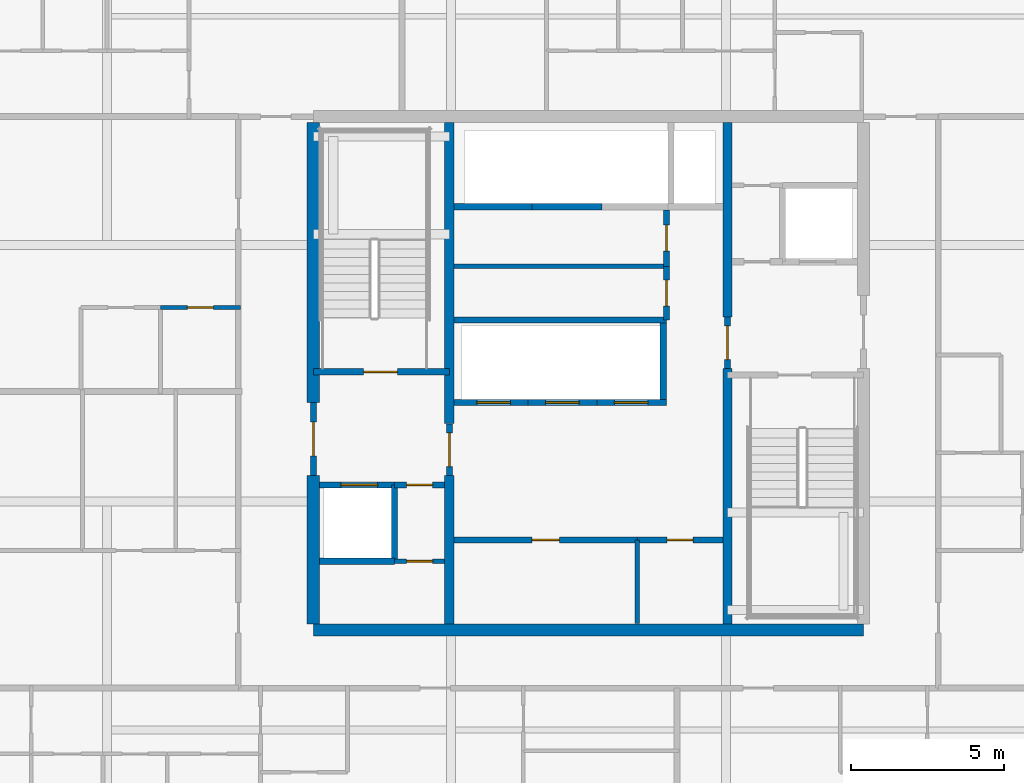
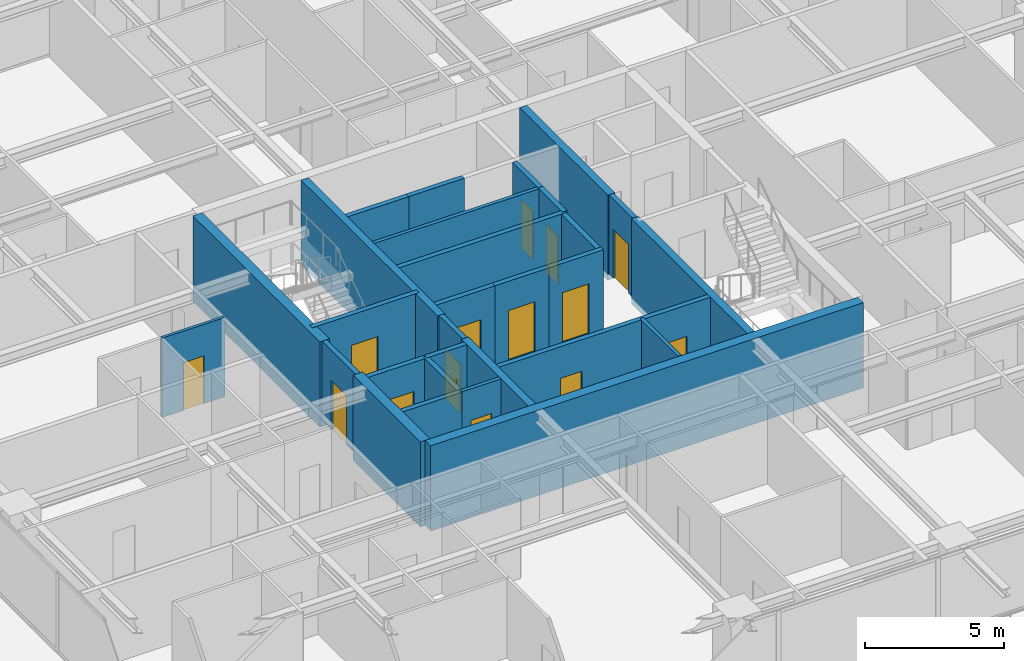
# One storey, part 27 of 37: 30 walls, 15 doors, 15 openings.
"""IFC4 building model written with IfcOpenShell, lengths in metres."""

from ifc_helpers import new_model, si_unit, direction, frame, frame_2d, origin, place, context, subcontext, project, spatial, rectangle, extrude, source, transform, mapped, material, layer, layer_set, type_object, element, fill, save


model = new_model("IFC4")

# Units and contexts
model_context = context("Model", 3, precision=1e-05, world=origin(), true_north=direction((0.0, 1.0)))
body_context = subcontext(model_context, "Body", "Model", "MODEL_VIEW")
ifc_project = project(units=[si_unit("LENGTHUNIT", "METRE"), si_unit("AREAUNIT", "SQUARE_METRE"), si_unit("VOLUMEUNIT", "CUBIC_METRE"), si_unit("PLANEANGLEUNIT", "RADIAN"), si_unit("MASSUNIT", "GRAM", prefix="KILO")], contexts=[model_context])

# Site, building, storey
site_placement = place(None, origin())
site = spatial("IfcSite", under=ifc_project, at=site_placement, CompositionType="ELEMENT")
building_placement = place(site_placement, origin())
building = spatial("IfcBuilding", under=site, at=building_placement, Name="Serunith Strait Residences", CompositionType="ELEMENT")
storey_placement = place(building_placement, frame((0.0, 0.0, 153.89990234375)))
storey = spatial("IfcBuildingStorey", under=building, at=storey_placement, Name="L38", CompositionType="ELEMENT", Elevation=153.89990234375)

# Wall, opening, door
ifc_material_1 = material(Name="Fire-rated masonry service closet wall", Category="masonry")
ifc_layer_1 = layer(ifc_material_1, 0.14990234375, Name="Fire-rated masonry service closet wall")
ifc_layer_set_1 = layer_set([ifc_layer_1], Name="Fire-rated masonry service closet wall")
wall_type_1 = type_object("IfcWallType", Name="IW-BOH-150", PredefinedType="PARTITIONING", material=ifc_layer_set_1)
wall_1_placement = place(storey_placement, frame((26.052001953125, 19.050048828125, 0.0), z_axis=(0.0, 0.0, 1.0), x_axis=(1.0, 0.0, 0.0)))
wall_1 = element("IfcWall", 1, at=wall_1_placement, inside=storey, type_object=wall_type_1, Name="L38 Partition Wall 012", PredefinedType="PARTITIONING", context=body_context, shape_type="SweptSolid", body=[
    extrude(rectangle(XDim=1.64794921875, YDim=0.14990234375, at=frame_2d((0.823974609375, 0.0))), origin(), (0.0, 0.0, 1.0), 3.489990234375),
])
opening_1_placement = place(wall_1_placement, frame((0.39892578125, 0.0, 0.0)))
opening_1 = element("IfcOpeningElement", 2, at=opening_1_placement, cuts=wall_1, Name="Opening FD-850", PredefinedType="OPENING", context=body_context, shape_type="SweptSolid", body=[
    extrude(rectangle(XDim=0.85009765625, YDim=2.10009765625, at=frame_2d((0.425048828125, 1.050048828125))), frame((0.0, 0.0849609375, 0.0), z_axis=(0.0, -1.0, 0.0), x_axis=(1.0, 0.0, 0.0)), (0.0, 0.0, 1.0), 0.169921875),
])
ifc_material_2 = material(Name="Powder-coated steel service closet door", Category="steel")
door_type_1 = type_object("IfcDoorType", Name="FD-BOH-850", OperationType="NOTDEFINED", PredefinedType="DOOR", material=ifc_material_2)
shared_shape_1 = source(origin(), body_context, "Body", "SweptSolid", [
    extrude(rectangle(XDim=0.85009765625, YDim=2.10009765625, at=frame_2d((0.425048828125, 1.050048828125))), frame((0.0, 0.02490234375, 0.0), z_axis=(0.0, -1.0, 0.0), x_axis=(1.0, 0.0, 0.0)), (0.0, 0.0, 1.0), 0.050048828125),
])
door_1_placement = place(opening_1_placement, origin())
door_1 = element("IfcDoor", 3, at=door_1_placement, inside=storey, type_object=door_type_1, Name="L38 Water Meter Door", OperationType="SINGLE_SWING_RIGHT", OverallHeight=2.10009765625, OverallWidth=0.85009765625, PredefinedType="DOOR", context=body_context, shape_type="MappedRepresentation", body=[
    mapped(shared_shape_1, transform((0.0, 0.0, 0.0), scale=1.0)),
])
fill(opening_1, door_1)

# Walls
wall_2_placement = place(storey_placement, frame((28.0, 28.699951171875, 0.0), z_axis=(0.0, 0.0, 1.0), x_axis=(1.0, 0.0, 0.0)))
element("IfcWall", 4, at=wall_2_placement, inside=storey, type_object=wall_type_1, Name="L38 Partition Wall 016", PredefinedType="PARTITIONING", context=body_context, shape_type="SweptSolid", body=[
    extrude(rectangle(XDim=6.949951171875, YDim=0.14990234375, at=frame_2d((3.47509765625, 0.0))), origin(), (0.0, 0.0, 1.0), 3.489990234375),
])
wall_3_placement = place(storey_placement, frame((34.0, 17.02001953125, 0.0), z_axis=(0.0, 0.0, 1.0), x_axis=(0.0, 1.0, 0.0)))
element("IfcWall", 5, at=wall_3_placement, inside=storey, type_object=wall_type_1, Name="L38 Partition Wall 019", PredefinedType="PARTITIONING", context=body_context, shape_type="SweptSolid", body=[
    extrude(rectangle(XDim=2.72998046875, YDim=0.14990234375, at=frame_2d((1.364990234375, 0.0))), origin(), (0.0, 0.0, 1.0), 3.489990234375),
])

# Wall, opening, door
ifc_material_3 = material(Name="Lightweight steel-stud gypsum partition", Category="steel")
ifc_layer_2 = layer(ifc_material_3, 0.1201171875, Name="Lightweight steel-stud gypsum partition")
ifc_layer_set_2 = layer_set([ifc_layer_2], Name="Lightweight steel-stud gypsum partition")
wall_type_2 = type_object("IfcWallType", Name="IW-PART-120", PredefinedType="PARTITIONING", material=ifc_layer_set_2)
wall_4_placement = place(storey_placement, frame((18.402099609375, 27.35009765625, 0.0), z_axis=(0.0, 0.0, 1.0), x_axis=(1.0, 0.0, 0.0)))
wall_4 = element("IfcWall", 6, at=wall_4_placement, inside=storey, type_object=wall_type_2, Name="L38 Partition Wall 110", PredefinedType="PARTITIONING", context=body_context, shape_type="SweptSolid", body=[
    extrude(rectangle(XDim=2.60791015625, YDim=0.1201171875, at=frame_2d((1.303955078125, 0.0))), origin(), (0.0, 0.0, 1.0), 3.489990234375),
])
opening_2_placement = place(wall_4_placement, frame((0.87890625, 0.0, 0.0)))
opening_2 = element("IfcOpeningElement", 7, at=opening_2_placement, cuts=wall_4, Name="Opening D-BTH850", PredefinedType="OPENING", context=body_context, shape_type="SweptSolid", body=[
    extrude(rectangle(XDim=0.85009765625, YDim=2.10009765625, at=frame_2d((0.425048828125, 1.050048828125))), frame((0.0, 0.070068359375, 0.0), z_axis=(0.0, -1.0, 0.0), x_axis=(1.0, 0.0, 0.0)), (0.0, 0.0, 1.0), 0.14013671875),
])
ifc_material_4 = material(Name="Moisture-resistant timber bathroom door", Category="wood")
door_type_2 = type_object("IfcDoorType", Name="ID-BATH-850", OperationType="NOTDEFINED", PredefinedType="DOOR", material=ifc_material_4)
door_2_placement = place(opening_2_placement, origin())
door_2 = element("IfcDoor", 8, at=door_2_placement, inside=storey, type_object=door_type_2, Name="L38 Bathroom 3806 Door", OperationType="SINGLE_SWING_RIGHT", OverallHeight=2.10009765625, OverallWidth=0.85009765625, PredefinedType="DOOR", context=body_context, shape_type="MappedRepresentation", body=[
    mapped(shared_shape_1, transform((0.0, 0.0, 0.0), scale=1.0)),
])
fill(opening_2, door_2)

ifc_material_5 = material(Name="Autoclaved aerated concrete blockwork", Category="masonry")
ifc_layer_3 = layer(ifc_material_5, 0.199951171875, Name="Autoclaved aerated concrete blockwork")
ifc_layer_set_3 = layer_set([ifc_layer_3], Name="Autoclaved aerated concrete blockwork")
wall_type_3 = type_object("IfcWallType", Name="IW-SHAFT-200", PredefinedType="STANDARD", material=ifc_layer_set_3)
wall_5_placement = place(storey_placement, frame((23.39990234375, 25.25, 0.0), z_axis=(0.0, 0.0, 1.0), x_axis=(1.0, 0.0, 0.0)))
wall_5 = element("IfcWall", 9, at=wall_5_placement, inside=storey, type_object=wall_type_3, Name="L38 ST-1 South Shaft Wall", PredefinedType="STANDARD", context=body_context, shape_type="SweptSolid", body=[
    extrude(rectangle(XDim=4.4501953125, YDim=0.199951171875, at=frame_2d((2.22509765625, 0.0))), origin(), (0.0, 0.0, 1.0), 3.489990234375),
])
opening_3_placement = place(wall_5_placement, frame((1.64990234375, 0.0, 0.0)))
opening_3 = element("IfcOpeningElement", 10, at=opening_3_placement, cuts=wall_5, Name="Opening FD-1100", PredefinedType="OPENING", context=body_context, shape_type="SweptSolid", body=[
    extrude(rectangle(XDim=1.10009765625, YDim=2.14990234375, at=frame_2d((0.550048828125, 1.074951171875))), frame((0.0, 0.10986328125, 0.0), z_axis=(0.0, -1.0, 0.0), x_axis=(1.0, 0.0, 0.0)), (0.0, 0.0, 1.0), 0.219970703125),
])
ifc_material_6 = material(Name="Galvanised steel fire door leaf", Category="steel")
door_type_3 = type_object("IfcDoorType", Name="FD-STAIR-1100", OperationType="NOTDEFINED", PredefinedType="DOOR", material=ifc_material_6)
shared_shape_2 = source(origin(), body_context, "Body", "SweptSolid", [
    extrude(rectangle(XDim=1.10009765625, YDim=2.14990234375, at=frame_2d((0.550048828125, 1.074951171875))), frame((0.0, 0.02490234375, 0.0), z_axis=(0.0, -1.0, 0.0), x_axis=(1.0, 0.0, 0.0)), (0.0, 0.0, 1.0), 0.050048828125),
])
door_3_placement = place(opening_3_placement, origin())
door_3 = element("IfcDoor", 11, at=door_3_placement, inside=storey, type_object=door_type_3, Name="L38 ST-1 Escape Stair Door", OperationType="SINGLE_SWING_RIGHT", OverallHeight=2.14990234375, OverallWidth=1.10009765625, PredefinedType="DOOR", context=body_context, shape_type="MappedRepresentation", body=[
    mapped(shared_shape_2, transform((0.0, 0.0, 0.0), scale=1.0)),
])
fill(opening_3, door_3)

wall_6_placement = place(storey_placement, frame((23.60009765625, 21.550048828125, 0.0), z_axis=(0.0, 0.0, 1.0), x_axis=(1.0, 0.0, 0.0)))
wall_6 = element("IfcWall", 12, at=wall_6_placement, inside=storey, type_object=wall_type_3, Name="L38 FL-1 North Shaft Wall", PredefinedType="STANDARD", context=body_context, shape_type="SweptSolid", body=[
    extrude(rectangle(XDim=2.449951171875, YDim=0.199951171875, at=frame_2d((1.22509765625, 0.0))), origin(), (0.0, 0.0, 1.0), 3.489990234375),
])
opening_4_placement = place(wall_6_placement, frame((0.699951171875, 0.0, 0.0)))
opening_4 = element("IfcOpeningElement", 13, at=opening_4_placement, cuts=wall_6, Name="Opening LD-FF1200", PredefinedType="OPENING", context=body_context, shape_type="SweptSolid", body=[
    extrude(rectangle(XDim=1.199951171875, YDim=2.199951171875, at=frame_2d((0.60009765625, 1.10009765625))), frame((0.0, 0.10986328125, 0.0), z_axis=(0.0, -1.0, 0.0), x_axis=(1.0, 0.0, 0.0)), (0.0, 0.0, 1.0), 0.219970703125),
])
ifc_material_7 = material(Name="Brushed stainless steel landing door", Category="steel")
door_type_4 = type_object("IfcDoorType", Name="LD-FF-1200", OperationType="DOUBLE_DOOR_SLIDING", PredefinedType="DOOR", material=ifc_material_7)
shared_shape_3 = source(origin(), body_context, "Body", "SweptSolid", [
    extrude(rectangle(XDim=1.199951171875, YDim=2.199951171875, at=frame_2d((0.60009765625, 1.10009765625))), frame((0.0, 0.02490234375, 0.0), z_axis=(0.0, -1.0, 0.0), x_axis=(1.0, 0.0, 0.0)), (0.0, 0.0, 1.0), 0.050048828125),
])
door_4_placement = place(opening_4_placement, origin())
door_4 = element("IfcDoor", 14, at=door_4_placement, inside=storey, type_object=door_type_4, Name="L38 FL-1 Landing Door", OperationType="DOUBLE_DOOR_SLIDING", OverallHeight=2.199951171875, OverallWidth=1.199951171875, PredefinedType="DOOR", context=body_context, shape_type="MappedRepresentation", body=[
    mapped(shared_shape_3, transform((0.0, 0.0, 0.0), scale=1.0)),
])
fill(opening_4, door_4)

wall_7_placement = place(storey_placement, frame((28.0, 24.25, 0.0), z_axis=(0.0, 0.0, 1.0), x_axis=(1.0, 0.0, 0.0)))
wall_7 = element("IfcWall", 15, at=wall_7_placement, inside=storey, type_object=wall_type_3, Name="L38 PL-4 South Shaft Wall", PredefinedType="STANDARD", context=body_context, shape_type="SweptSolid", body=[
    extrude(rectangle(XDim=2.425048828125, YDim=0.199951171875, at=frame_2d((1.21240234375, 0.0))), origin(), (0.0, 0.0, 1.0), 3.489990234375),
])
opening_5_placement = place(wall_7_placement, frame((0.75, 0.0, 0.0)))
opening_5 = element("IfcOpeningElement", 16, at=opening_5_placement, cuts=wall_7, Name="Opening LD-1100", PredefinedType="OPENING", context=body_context, shape_type="SweptSolid", body=[
    extrude(rectangle(XDim=1.10009765625, YDim=2.199951171875, at=frame_2d((0.550048828125, 1.10009765625))), frame((0.0, 0.10986328125, 0.0), z_axis=(0.0, -1.0, 0.0), x_axis=(1.0, 0.0, 0.0)), (0.0, 0.0, 1.0), 0.219970703125),
])
ifc_material_8 = material(Name="Pale-champagne stainless landing door")
door_type_5 = type_object("IfcDoorType", Name="LD-LIFT-1100", OperationType="DOUBLE_DOOR_SLIDING", PredefinedType="DOOR", material=ifc_material_8)
shared_shape_4 = source(origin(), body_context, "Body", "SweptSolid", [
    extrude(rectangle(XDim=1.10009765625, YDim=2.199951171875, at=frame_2d((0.550048828125, 1.10009765625))), frame((0.0, 0.02490234375, 0.0), z_axis=(0.0, -1.0, 0.0), x_axis=(1.0, 0.0, 0.0)), (0.0, 0.0, 1.0), 0.050048828125),
])
door_5_placement = place(opening_5_placement, origin())
door_5 = element("IfcDoor", 17, at=door_5_placement, inside=storey, type_object=door_type_5, Name="L38 PL-4 Landing Door", OperationType="DOUBLE_DOOR_SLIDING", OverallHeight=2.199951171875, OverallWidth=1.10009765625, PredefinedType="DOOR", context=body_context, shape_type="MappedRepresentation", body=[
    mapped(shared_shape_4, transform((0.0, 0.0, 0.0), scale=1.0)),
])
fill(opening_5, door_5)

wall_8_placement = place(storey_placement, frame((30.425048828125, 24.25, 0.0), z_axis=(0.0, 0.0, 1.0), x_axis=(1.0, 0.0, 0.0)))
wall_8 = element("IfcWall", 18, at=wall_8_placement, inside=storey, type_object=wall_type_3, Name="L38 PL-5 South Shaft Wall", PredefinedType="STANDARD", context=body_context, shape_type="SweptSolid", body=[
    extrude(rectangle(XDim=2.25, YDim=0.199951171875, at=frame_2d((1.125, 0.0))), origin(), (0.0, 0.0, 1.0), 3.489990234375),
])
opening_6_placement = place(wall_8_placement, frame((0.574951171875, 0.0, 0.0)))
opening_6 = element("IfcOpeningElement", 19, at=opening_6_placement, cuts=wall_8, Name="Opening LD-1100", PredefinedType="OPENING", context=body_context, shape_type="SweptSolid", body=[
    extrude(rectangle(XDim=1.10009765625, YDim=2.199951171875, at=frame_2d((0.550048828125, 1.10009765625))), frame((0.0, 0.10986328125, 0.0), z_axis=(0.0, -1.0, 0.0), x_axis=(1.0, 0.0, 0.0)), (0.0, 0.0, 1.0), 0.219970703125),
])
door_6_placement = place(opening_6_placement, origin())
door_6 = element("IfcDoor", 20, at=door_6_placement, inside=storey, type_object=door_type_5, Name="L38 PL-5 Landing Door", OperationType="DOUBLE_DOOR_SLIDING", OverallHeight=2.199951171875, OverallWidth=1.10009765625, PredefinedType="DOOR", context=body_context, shape_type="MappedRepresentation", body=[
    mapped(shared_shape_4, transform((0.0, 0.0, 0.0), scale=1.0)),
])
fill(opening_6, door_6)

wall_9_placement = place(storey_placement, frame((32.675048828125, 24.25, 0.0), z_axis=(0.0, 0.0, 1.0), x_axis=(1.0, 0.0, 0.0)))
wall_9 = element("IfcWall", 21, at=wall_9_placement, inside=storey, type_object=wall_type_3, Name="L38 PL-6 South Shaft Wall", PredefinedType="STANDARD", context=body_context, shape_type="SweptSolid", body=[
    extrude(rectangle(XDim=2.27490234375, YDim=0.199951171875, at=frame_2d((1.137451171875, 0.0))), origin(), (0.0, 0.0, 1.0), 3.489990234375),
])
opening_7_placement = place(wall_9_placement, frame((0.574951171875, 0.0, 0.0)))
opening_7 = element("IfcOpeningElement", 22, at=opening_7_placement, cuts=wall_9, Name="Opening LD-1100", PredefinedType="OPENING", context=body_context, shape_type="SweptSolid", body=[
    extrude(rectangle(XDim=1.10009765625, YDim=2.199951171875, at=frame_2d((0.550048828125, 1.10009765625))), frame((0.0, 0.10986328125, 0.0), z_axis=(0.0, -1.0, 0.0), x_axis=(1.0, 0.0, 0.0)), (0.0, 0.0, 1.0), 0.219970703125),
])
door_7_placement = place(opening_7_placement, origin())
door_7 = element("IfcDoor", 23, at=door_7_placement, inside=storey, type_object=door_type_5, Name="L38 PL-6 Landing Door", OperationType="DOUBLE_DOOR_SLIDING", OverallHeight=2.199951171875, OverallWidth=1.10009765625, PredefinedType="DOOR", context=body_context, shape_type="MappedRepresentation", body=[
    mapped(shared_shape_4, transform((0.0, 0.0, 0.0), scale=1.0)),
])
fill(opening_7, door_7)

# Walls
wall_10_placement = place(storey_placement, frame((34.85009765625, 24.35009765625, 0.0), z_axis=(0.0, 0.0, 1.0), x_axis=(0.0, 1.0, 0.0)))
element("IfcWall", 24, at=wall_10_placement, inside=storey, type_object=wall_type_3, Name="L38 PL-6 East Shaft Wall", PredefinedType="STANDARD", context=body_context, shape_type="SweptSolid", body=[
    extrude(rectangle(XDim=2.5, YDim=0.199951171875, at=frame_2d((1.25, 0.0))), origin(), (0.0, 0.0, 1.0), 3.489990234375),
])
wall_11_placement = place(storey_placement, frame((28.0, 30.64990234375, 0.0), z_axis=(0.0, 0.0, 1.0), x_axis=(1.0, 0.0, 0.0)))
element("IfcWall", 25, at=wall_11_placement, inside=storey, type_object=wall_type_3, Name="L38 PL-7 South Shaft Wall", PredefinedType="STANDARD", context=body_context, shape_type="SweptSolid", body=[
    extrude(rectangle(XDim=2.550048828125, YDim=0.199951171875, at=frame_2d((1.27490234375, 0.0))), origin(), (0.0, 0.0, 1.0), 3.489990234375),
])
wall_12_placement = place(storey_placement, frame((30.550048828125, 30.64990234375, 0.0), z_axis=(0.0, 0.0, 1.0), x_axis=(1.0, 0.0, 0.0)))
element("IfcWall", 26, at=wall_12_placement, inside=storey, type_object=wall_type_3, Name="L38 PL-8 South Shaft Wall", PredefinedType="STANDARD", context=body_context, shape_type="SweptSolid", body=[
    extrude(rectangle(XDim=2.300048828125, YDim=0.199951171875, at=frame_2d((1.14990234375, 0.0))), origin(), (0.0, 0.0, 1.0), 3.489990234375),
])
wall_13_placement = place(storey_placement, frame((26.050048828125, 19.050048828125, 0.0), z_axis=(0.0, 0.0, 1.0), x_axis=(0.0, 1.0, 0.0)))
element("IfcWall", 27, at=wall_13_placement, inside=storey, type_object=wall_type_3, Name="L38 Partition Wall 001", PredefinedType="STANDARD", context=body_context, shape_type="SweptSolid", body=[
    extrude(rectangle(XDim=2.5, YDim=0.199951171875, at=frame_2d((1.25, 0.0))), origin(), (0.0, 0.0, 1.0), 3.489990234375),
])
wall_14_placement = place(storey_placement, frame((23.60009765625, 19.050048828125, 0.0), z_axis=(0.0, 0.0, 1.0), x_axis=(1.0, 0.0, 0.0)))
element("IfcWall", 28, at=wall_14_placement, inside=storey, type_object=wall_type_3, Name="L38 Partition Wall 002", PredefinedType="STANDARD", context=body_context, shape_type="SweptSolid", body=[
    extrude(rectangle(XDim=2.449951171875, YDim=0.199951171875, at=frame_2d((1.22509765625, 0.0))), origin(), (0.0, 0.0, 1.0), 3.489990234375),
])

# Wall, opening, door
wall_15_placement = place(storey_placement, frame((26.052001953125, 21.550048828125, 0.0), z_axis=(0.0, 0.0, 1.0), x_axis=(1.0, 0.0, 0.0)))
wall_15 = element("IfcWall", 29, at=wall_15_placement, inside=storey, type_object=wall_type_3, Name="L38 Partition Wall 003", PredefinedType="STANDARD", context=body_context, shape_type="SweptSolid", body=[
    extrude(rectangle(XDim=1.64794921875, YDim=0.199951171875, at=frame_2d((0.823974609375, 0.0))), origin(), (0.0, 0.0, 1.0), 3.489990234375),
])
opening_8_placement = place(wall_15_placement, frame((0.39892578125, 0.0, 0.0)))
opening_8 = element("IfcOpeningElement", 30, at=opening_8_placement, cuts=wall_15, Name="Opening FD-850", PredefinedType="OPENING", context=body_context, shape_type="SweptSolid", body=[
    extrude(rectangle(XDim=0.85009765625, YDim=2.10009765625, at=frame_2d((0.425048828125, 1.050048828125))), frame((0.0, 0.10986328125, 0.0), z_axis=(0.0, -1.0, 0.0), x_axis=(1.0, 0.0, 0.0)), (0.0, 0.0, 1.0), 0.219970703125),
])
door_8_placement = place(opening_8_placement, origin())
door_8 = element("IfcDoor", 31, at=door_8_placement, inside=storey, type_object=door_type_1, Name="L38 South-West Core Service Door", OperationType="SINGLE_SWING_RIGHT", OverallHeight=2.10009765625, OverallWidth=0.85009765625, PredefinedType="DOOR", context=body_context, shape_type="MappedRepresentation", body=[
    mapped(shared_shape_1, transform((0.0, 0.0, 0.0), scale=1.0)),
])
fill(opening_8, door_8)

wall_16_placement = place(storey_placement, frame((23.39990234375, 21.85205078125, 0.0), z_axis=(0.0, 0.0, 1.0), x_axis=(0.0, 1.0, 0.0)))
wall_16 = element("IfcWall", 32, at=wall_16_placement, inside=storey, type_object=wall_type_3, Name="L38 Partition Wall 007", PredefinedType="STANDARD", context=body_context, shape_type="SweptSolid", body=[
    extrude(rectangle(XDim=2.39599609375, YDim=0.199951171875, at=frame_2d((1.197998046875, 0.0))), origin(), (0.0, 0.0, 1.0), 3.489990234375),
])
opening_9_placement = place(wall_16_placement, frame((0.64794921875, 0.0, 0.0)))
opening_9 = element("IfcOpeningElement", 33, at=opening_9_placement, cuts=wall_16, Name="Opening FD-FFL", PredefinedType="OPENING", context=body_context, shape_type="SweptSolid", body=[
    extrude(rectangle(XDim=1.10009765625, YDim=2.14990234375, at=frame_2d((0.550048828125, 1.074951171875))), frame((0.0, 0.10986328125, 0.0), z_axis=(0.0, -1.0, 0.0), x_axis=(1.0, 0.0, 0.0)), (0.0, 0.0, 1.0), 0.219970703125),
])
ifc_material_9 = material(Name="Glazed steel smoke-lobby fire door", Category="steel")
door_type_6 = type_object("IfcDoorType", Name="FD-FFL-1100", OperationType="NOTDEFINED", PredefinedType="DOOR", material=ifc_material_9)
door_9_placement = place(opening_9_placement, origin())
door_9 = element("IfcDoor", 34, at=door_9_placement, inside=storey, type_object=door_type_6, Name="L38 FFL-1 Corridor Fire Door", OperationType="SINGLE_SWING_RIGHT", OverallHeight=2.14990234375, OverallWidth=1.10009765625, PredefinedType="DOOR", context=body_context, shape_type="MappedRepresentation", body=[
    mapped(shared_shape_2, transform((0.0, 0.0, 0.0), scale=1.0)),
])
fill(opening_9, door_9)

wall_17_placement = place(storey_placement, frame((27.85009765625, 21.85205078125, 0.0), z_axis=(0.0, 0.0, 1.0), x_axis=(0.0, 1.0, 0.0)))
wall_17 = element("IfcWall", 35, at=wall_17_placement, inside=storey, type_object=wall_type_3, Name="L38 Partition Wall 009", PredefinedType="STANDARD", context=body_context, shape_type="SweptSolid", body=[
    extrude(rectangle(XDim=1.696044921875, YDim=0.199951171875, at=frame_2d((0.84814453125, 0.0))), origin(), (0.0, 0.0, 1.0), 3.489990234375),
])
opening_10_placement = place(wall_17_placement, frame((0.298095703125, 0.0, 0.0)))
opening_10 = element("IfcOpeningElement", 36, at=opening_10_placement, cuts=wall_17, Name="Opening FD-FFL", PredefinedType="OPENING", context=body_context, shape_type="SweptSolid", body=[
    extrude(rectangle(XDim=1.10009765625, YDim=2.14990234375, at=frame_2d((0.550048828125, 1.074951171875))), frame((0.0, 0.10986328125, 0.0), z_axis=(0.0, -1.0, 0.0), x_axis=(1.0, 0.0, 0.0)), (0.0, 0.0, 1.0), 0.219970703125),
])
door_10_placement = place(opening_10_placement, origin())
door_10 = element("IfcDoor", 37, at=door_10_placement, inside=storey, type_object=door_type_6, Name="L38 FFL-1 Lift Lobby Door", OperationType="SINGLE_SWING_RIGHT", OverallHeight=2.14990234375, OverallWidth=1.10009765625, PredefinedType="DOOR", context=body_context, shape_type="MappedRepresentation", body=[
    mapped(shared_shape_2, transform((0.0, 0.0, 0.0), scale=1.0)),
])
fill(opening_10, door_10)

wall_18_placement = place(storey_placement, frame((36.949951171875, 25.35205078125, 0.0), z_axis=(0.0, 0.0, 1.0), x_axis=(0.0, 1.0, 0.0)))
wall_18 = element("IfcWall", 38, at=wall_18_placement, inside=storey, type_object=wall_type_3, Name="L38 Partition Wall 010", PredefinedType="STANDARD", context=body_context, shape_type="SweptSolid", body=[
    extrude(rectangle(XDim=1.696044921875, YDim=0.199951171875, at=frame_2d((0.84814453125, 0.0))), origin(), (0.0, 0.0, 1.0), 3.489990234375),
])
opening_11_placement = place(wall_18_placement, frame((0.298095703125, 0.0, 0.0)))
opening_11 = element("IfcOpeningElement", 39, at=opening_11_placement, cuts=wall_18, Name="Opening FD-FFL", PredefinedType="OPENING", context=body_context, shape_type="SweptSolid", body=[
    extrude(rectangle(XDim=1.10009765625, YDim=2.14990234375, at=frame_2d((0.550048828125, 1.074951171875))), frame((0.0, 0.10986328125, 0.0), z_axis=(0.0, -1.0, 0.0), x_axis=(1.0, 0.0, 0.0)), (0.0, 0.0, 1.0), 0.219970703125),
])
door_11_placement = place(opening_11_placement, origin())
door_11 = element("IfcDoor", 40, at=door_11_placement, inside=storey, type_object=door_type_6, Name="L38 FFL-2 Lift Lobby Door", OperationType="SINGLE_SWING_LEFT", OverallHeight=2.14990234375, OverallWidth=1.10009765625, PredefinedType="DOOR", context=body_context, shape_type="MappedRepresentation", body=[
    mapped(shared_shape_2, transform((0.0, 0.0, 0.0), scale=1.0)),
])
fill(opening_11, door_11)

# Wall
wall_19_placement = place(storey_placement, frame((28.0, 26.949951171875, 0.0), z_axis=(0.0, 0.0, 1.0), x_axis=(1.0, 0.0, 0.0)))
element("IfcWall", 41, at=wall_19_placement, inside=storey, type_object=wall_type_3, Name="L38 Partition Wall 011", PredefinedType="STANDARD", context=body_context, shape_type="SweptSolid", body=[
    extrude(rectangle(XDim=6.949951171875, YDim=0.199951171875, at=frame_2d((3.47509765625, 0.0))), origin(), (0.0, 0.0, 1.0), 3.489990234375),
])

# Wall, opening, door
wall_20_placement = place(storey_placement, frame((34.949951171875, 26.949951171875, 0.0), z_axis=(0.0, 0.0, 1.0), x_axis=(0.0, 1.0, 0.0)))
wall_20 = element("IfcWall", 42, at=wall_20_placement, inside=storey, type_object=wall_type_3, Name="L38 Partition Wall 014", PredefinedType="STANDARD", context=body_context, shape_type="SweptSolid", body=[
    extrude(rectangle(XDim=1.75, YDim=0.199951171875, at=frame_2d((0.875, 0.0))), origin(), (0.0, 0.0, 1.0), 3.489990234375),
])
opening_12_placement = place(wall_20_placement, frame((0.449951171875, 0.0, 0.0)))
opening_12 = element("IfcOpeningElement", 43, at=opening_12_placement, cuts=wall_20, Name="Opening FD-850", PredefinedType="OPENING", context=body_context, shape_type="SweptSolid", body=[
    extrude(rectangle(XDim=0.85009765625, YDim=2.10009765625, at=frame_2d((0.425048828125, 1.050048828125))), frame((0.0, 0.10986328125, 0.0), z_axis=(0.0, -1.0, 0.0), x_axis=(1.0, 0.0, 0.0)), (0.0, 0.0, 1.0), 0.219970703125),
])
door_12_placement = place(opening_12_placement, origin())
door_12 = element("IfcDoor", 44, at=door_12_placement, inside=storey, type_object=door_type_1, Name="L38 Chilled Water Pump Door", OperationType="SINGLE_SWING_RIGHT", OverallHeight=2.10009765625, OverallWidth=0.85009765625, PredefinedType="DOOR", context=body_context, shape_type="MappedRepresentation", body=[
    mapped(shared_shape_1, transform((0.0, 0.0, 0.0), scale=1.0)),
])
fill(opening_12, door_12)

wall_21_placement = place(storey_placement, frame((34.949951171875, 28.701904296875, 0.0), z_axis=(0.0, 0.0, 1.0), x_axis=(0.0, 1.0, 0.0)))
wall_21 = element("IfcWall", 45, at=wall_21_placement, inside=storey, type_object=wall_type_3, Name="L38 Partition Wall 015", PredefinedType="STANDARD", context=body_context, shape_type="SweptSolid", body=[
    extrude(rectangle(XDim=1.84814453125, YDim=0.199951171875, at=frame_2d((0.924072265625, 0.0))), origin(), (0.0, 0.0, 1.0), 3.489990234375),
])
opening_13_placement = place(wall_21_placement, frame((0.4990234375, 0.0, 0.0)))
opening_13 = element("IfcOpeningElement", 46, at=opening_13_placement, cuts=wall_21, Name="Opening FD-850", PredefinedType="OPENING", context=body_context, shape_type="SweptSolid", body=[
    extrude(rectangle(XDim=0.85009765625, YDim=2.10009765625, at=frame_2d((0.425048828125, 1.050048828125))), frame((0.0, 0.10986328125, 0.0), z_axis=(0.0, -1.0, 0.0), x_axis=(1.0, 0.0, 0.0)), (0.0, 0.0, 1.0), 0.219970703125),
])
door_13_placement = place(opening_13_placement, origin())
door_13 = element("IfcDoor", 47, at=door_13_placement, inside=storey, type_object=door_type_1, Name="L38 Smoke Control Fan Door", OperationType="SINGLE_SWING_LEFT", OverallHeight=2.10009765625, OverallWidth=0.85009765625, PredefinedType="DOOR", context=body_context, shape_type="MappedRepresentation", body=[
    mapped(shared_shape_1, transform((0.0, 0.0, 0.0), scale=1.0)),
])
fill(opening_13, door_13)

wall_22_placement = place(storey_placement, frame((28.0, 19.75, 0.0), z_axis=(0.0, 0.0, 1.0), x_axis=(1.0, 0.0, 0.0)))
wall_22 = element("IfcWall", 48, at=wall_22_placement, inside=storey, type_object=wall_type_3, Name="L38 Partition Wall 017", PredefinedType="STANDARD", context=body_context, shape_type="SweptSolid", body=[
    extrude(rectangle(XDim=6.0, YDim=0.199951171875, at=frame_2d((3.0, 0.0))), origin(), (0.0, 0.0, 1.0), 3.489990234375),
])
opening_14_placement = place(wall_22_placement, frame((2.550048828125, 0.0, 0.0)))
opening_14 = element("IfcOpeningElement", 49, at=opening_14_placement, cuts=wall_22, Name="Opening FD-900", PredefinedType="OPENING", context=body_context, shape_type="SweptSolid", body=[
    extrude(rectangle(XDim=0.89990234375, YDim=2.10009765625, at=frame_2d((0.449951171875, 1.050048828125))), frame((0.0, 0.10986328125, 0.0), z_axis=(0.0, -1.0, 0.0), x_axis=(1.0, 0.0, 0.0)), (0.0, 0.0, 1.0), 0.219970703125),
])
ifc_material_10 = material(Name="Powder-coated steel riser door", Category="steel")
door_type_7 = type_object("IfcDoorType", Name="FD-BOH-900", OperationType="NOTDEFINED", PredefinedType="DOOR", material=ifc_material_10)
shared_shape_5 = source(origin(), body_context, "Body", "SweptSolid", [
    extrude(rectangle(XDim=0.89990234375, YDim=2.10009765625, at=frame_2d((0.449951171875, 1.050048828125))), frame((0.0, 0.02490234375, 0.0), z_axis=(0.0, -1.0, 0.0), x_axis=(1.0, 0.0, 0.0)), (0.0, 0.0, 1.0), 0.050048828125),
])
door_14_placement = place(opening_14_placement, origin())
door_14 = element("IfcDoor", 50, at=door_14_placement, inside=storey, type_object=door_type_7, Name="L38 Telecoms Comms Door", OperationType="SINGLE_SWING_RIGHT", OverallHeight=2.10009765625, OverallWidth=0.89990234375, PredefinedType="DOOR", context=body_context, shape_type="MappedRepresentation", body=[
    mapped(shared_shape_5, transform((0.0, 0.0, 0.0), scale=1.0)),
])
fill(opening_14, door_14)

wall_23_placement = place(storey_placement, frame((34.001953125, 19.75, 0.0), z_axis=(0.0, 0.0, 1.0), x_axis=(1.0, 0.0, 0.0)))
wall_23 = element("IfcWall", 51, at=wall_23_placement, inside=storey, type_object=wall_type_3, Name="L38 Partition Wall 018", PredefinedType="STANDARD", context=body_context, shape_type="SweptSolid", body=[
    extrude(rectangle(XDim=2.798095703125, YDim=0.199951171875, at=frame_2d((1.39892578125, 0.0))), origin(), (0.0, 0.0, 1.0), 3.489990234375),
])
opening_15_placement = place(wall_23_placement, frame((0.97412109375, 0.0, 0.0)))
opening_15 = element("IfcOpeningElement", 52, at=opening_15_placement, cuts=wall_23, Name="Opening FD-850", PredefinedType="OPENING", context=body_context, shape_type="SweptSolid", body=[
    extrude(rectangle(XDim=0.85009765625, YDim=2.10009765625, at=frame_2d((0.425048828125, 1.050048828125))), frame((0.0, 0.10986328125, 0.0), z_axis=(0.0, -1.0, 0.0), x_axis=(1.0, 0.0, 0.0)), (0.0, 0.0, 1.0), 0.219970703125),
])
door_15_placement = place(opening_15_placement, origin())
door_15 = element("IfcDoor", 53, at=door_15_placement, inside=storey, type_object=door_type_1, Name="L38 Floor Linen Closet Door", OperationType="SINGLE_SWING_LEFT", OverallHeight=2.10009765625, OverallWidth=0.85009765625, PredefinedType="DOOR", context=body_context, shape_type="MappedRepresentation", body=[
    mapped(shared_shape_1, transform((0.0, 0.0, 0.0), scale=1.0)),
])
fill(opening_15, door_15)

# Walls
ifc_material_11 = material(Name="Concrete C70/85", Category="concrete")
ifc_layer_4 = layer(ifc_material_11, 0.300048828125, Name="Concrete C70/85")
ifc_layer_set_4 = layer_set([ifc_layer_4], Name="Concrete C70/85")
wall_type_4 = type_object("IfcWallType", Name="SW-300-C70", PredefinedType="SHEAR", material=ifc_layer_set_4)
wall_24_placement = place(storey_placement, frame((27.85009765625, 17.0, -0.260009765625), z_axis=(0.0, 0.0, 1.0), x_axis=(0.0, 1.0, 0.0)))
element("IfcWall", 54, at=wall_24_placement, inside=storey, type_object=wall_type_4, Name="L38 Core Internal West Web South Pier", PredefinedType="SHEAR", context=body_context, shape_type="SweptSolid", body=[
    extrude(rectangle(XDim=4.85009765625, YDim=0.300048828125, at=frame_2d((2.425048828125, 0.0))), origin(), (0.0, 0.0, 1.0), 3.748046875),
])
wall_25_placement = place(storey_placement, frame((27.85009765625, 23.550048828125, -0.260009765625), z_axis=(0.0, 0.0, 1.0), x_axis=(0.0, 1.0, 0.0)))
element("IfcWall", 55, at=wall_25_placement, inside=storey, type_object=wall_type_4, Name="L38 Core Internal West Web North Pier", PredefinedType="SHEAR", context=body_context, shape_type="SweptSolid", body=[
    extrude(rectangle(XDim=9.849853515625, YDim=0.300048828125, at=frame_2d((4.9248046875, 0.0))), origin(), (0.0, 0.0, 1.0), 3.748046875),
])
wall_26_placement = place(storey_placement, frame((36.949951171875, 17.0, -0.260009765625), z_axis=(0.0, 0.0, 1.0), x_axis=(0.0, 1.0, 0.0)))
element("IfcWall", 56, at=wall_26_placement, inside=storey, type_object=wall_type_4, Name="L38 Core Internal East Web South Pier", PredefinedType="SHEAR", context=body_context, shape_type="SweptSolid", body=[
    extrude(rectangle(XDim=8.35009765625, YDim=0.300048828125, at=frame_2d((4.175048828125, 0.0))), origin(), (0.0, 0.0, 1.0), 3.748046875),
])
wall_27_placement = place(storey_placement, frame((36.949951171875, 27.050048828125, -0.260009765625), z_axis=(0.0, 0.0, 1.0), x_axis=(0.0, 1.0, 0.0)))
element("IfcWall", 57, at=wall_27_placement, inside=storey, type_object=wall_type_4, Name="L38 Core Internal East Web North Pier", PredefinedType="SHEAR", context=body_context, shape_type="SweptSolid", body=[
    extrude(rectangle(XDim=6.349853515625, YDim=0.300048828125, at=frame_2d((3.1748046875, 0.0))), origin(), (0.0, 0.0, 1.0), 3.748046875),
])
ifc_layer_5 = layer(ifc_material_11, 0.39990234375, Name="Concrete C70/85")
ifc_layer_set_5 = layer_set([ifc_layer_5], Name="Concrete C70/85")
wall_type_5 = type_object("IfcWallType", Name="SW-400-C70", PredefinedType="SHEAR", material=ifc_layer_set_5)
wall_28_placement = place(storey_placement, frame((23.39990234375, 16.800048828125, -0.260009765625), z_axis=(0.0, 0.0, 1.0), x_axis=(1.0, 0.0, 0.0)))
element("IfcWall", 58, at=wall_28_placement, inside=storey, type_object=wall_type_5, Name="L38 Core South Shear Wall", PredefinedType="SHEAR", context=body_context, shape_type="SweptSolid", body=[
    extrude(rectangle(XDim=18.0, YDim=0.39990234375, at=frame_2d((9.0, 0.0))), origin(), (0.0, 0.0, 1.0), 3.748046875),
])
wall_29_placement = place(storey_placement, frame((23.39990234375, 17.0, -0.260009765625), z_axis=(0.0, 0.0, 1.0), x_axis=(0.0, 1.0, 0.0)))
element("IfcWall", 59, at=wall_29_placement, inside=storey, type_object=wall_type_5, Name="L38 Core West Shear Wall South Pier", PredefinedType="SHEAR", context=body_context, shape_type="SweptSolid", body=[
    extrude(rectangle(XDim=4.85009765625, YDim=0.39990234375, at=frame_2d((2.425048828125, 0.0))), origin(), (0.0, 0.0, 1.0), 3.748046875),
])
wall_30_placement = place(storey_placement, frame((23.39990234375, 24.25, -0.260009765625), z_axis=(0.0, 0.0, 1.0), x_axis=(0.0, 1.0, 0.0)))
element("IfcWall", 60, at=wall_30_placement, inside=storey, type_object=wall_type_5, Name="L38 Core West Shear Wall North Pier", PredefinedType="SHEAR", context=body_context, shape_type="SweptSolid", body=[
    extrude(rectangle(XDim=9.14990234375, YDim=0.39990234375, at=frame_2d((4.574951171875, 0.0))), origin(), (0.0, 0.0, 1.0), 3.748046875),
])

save(model, "model.ifc")
